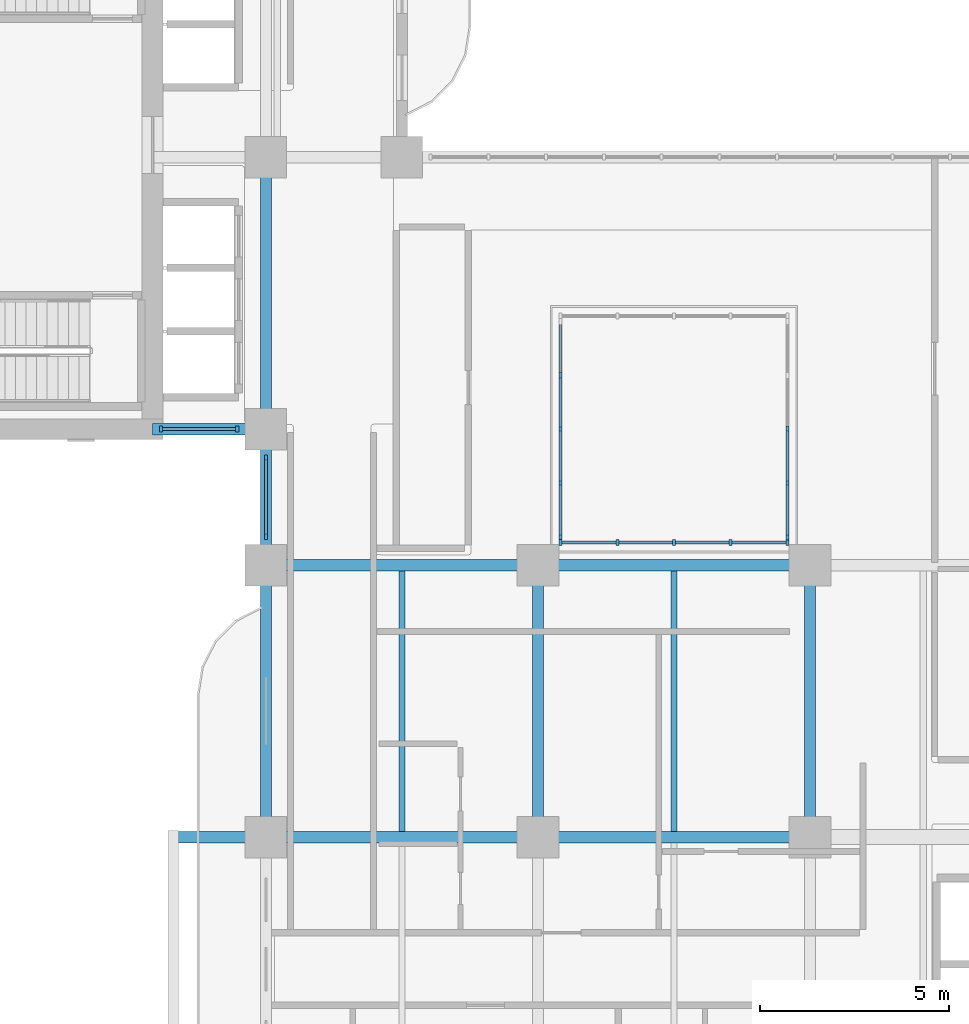
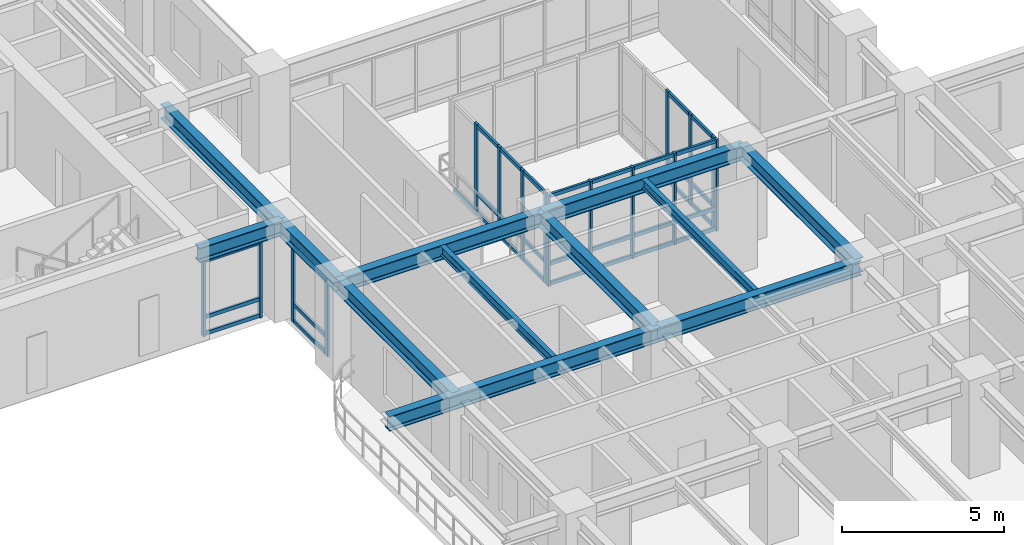
# One storey, part 2 of 22: 50 members, 12 beams, 5 elements without a shape of their own.
"""IFC4 building model written with IfcOpenShell, lengths in metres."""

from ifc_helpers import new_model, si_unit, derived_unit, direction, frame, origin, origin_2d, place, context, subcontext, project, spatial, rectangle, i_section, extrude, source, transform, mapped, material, layer, layer_set, material_profile, profile_set, type_object, type_shapes, element, aggregate, save


model = new_model("IFC4")

# Units and contexts
model_context = context("Model", 3, precision=1e-05, world=origin(), true_north=direction((0.0, 1.0)))
body_context = subcontext(model_context, "Body", "Model", "MODEL_VIEW")
ifc_project = project(units=[si_unit("LENGTHUNIT", "METRE"), si_unit("AREAUNIT", "SQUARE_METRE"), si_unit("VOLUMEUNIT", "CUBIC_METRE"), si_unit("PLANEANGLEUNIT", "RADIAN"), si_unit("MASSUNIT", "GRAM", prefix="KILO"), si_unit("THERMODYNAMICTEMPERATUREUNIT", "KELVIN"), si_unit("POWERUNIT", "WATT"), derived_unit("THERMALTRANSMITTANCEUNIT", [(si_unit("POWERUNIT", "WATT"), 1), (si_unit("AREAUNIT", "SQUARE_METRE"), -1), (si_unit("THERMODYNAMICTEMPERATUREUNIT", "KELVIN"), -1)])], contexts=[model_context])

# Site, building, storey
site_placement = place(None, origin())
site = spatial("IfcSite", under=ifc_project, at=site_placement, CompositionType="ELEMENT")
building_placement = place(site_placement, origin())
building = spatial("IfcBuilding", under=site, at=building_placement, Name="Zahravan Archway Hotel and Residences", CompositionType="ELEMENT")
storey_placement = place(building_placement, frame((0.0, 0.0, 87.89990234375)))
storey = spatial("IfcBuildingStorey", under=building, at=storey_placement, Name="L21", CompositionType="ELEMENT", Elevation=87.89990234375)

# Beams
ifc_material_1 = material(Name="Structural Steel S355JR", Category="steel")
ifc_material_profile_1 = material_profile(ifc_material_1, i_section(OverallWidth=0.300048828125, OverallDepth=0.550048828125, WebThickness=0.014892578125, FlangeThickness=0.029052734375, FilletRadius=0.027099609375, at=origin_2d()), Name="HEB 550", Category="steel")
ifc_profile_set_1 = profile_set([ifc_material_profile_1], Name="Structural Steel S355JR")
beam_type_1 = type_object("IfcBeamType", Name="BM-PRI-HEB550", PredefinedType="BEAM", material=ifc_profile_set_1)
shared_shape_1 = source(origin(), body_context, "Body", "SweptSolid", [
    extrude(i_section(OverallWidth=0.300048828125, OverallDepth=0.550048828125, WebThickness=0.014892578125, FlangeThickness=0.029052734375, FilletRadius=0.027099609375, at=origin_2d()), origin(), (0.0, 0.0, 1.0), 7.2001953125),
])
type_shapes(beam_type_1, [shared_shape_1])
for number, where, z_axis, x_axis, name in (
    (1, (14.39990234375, 21.60009765625, 3.175048828125), (1.0, 0.0, 0.0), (0.0, 1.0, 0.0), "L21 Primary Girder EW-14"),
    (2, (14.39990234375, 14.39990234375, 3.175048828125), (0.0, 1.0, 0.0), (-1.0, 0.0, 0.0), "L21 Primary Girder NS-34"),
    (3, (21.60009765625, 14.39990234375, 3.175048828125), (0.0, 1.0, 0.0), (-1.0, 0.0, 0.0), "L21 Primary Girder NS-41"),
    (4, (28.800048828125, 14.39990234375, 3.175048828125), (0.0, 1.0, 0.0), (-1.0, 0.0, 0.0), "L21 Primary Girder NS-44"),
):
    element("IfcBeam", number, at=place(storey_placement, frame(where, z_axis=z_axis, x_axis=x_axis)), inside=storey, type_object=beam_type_1, Name=name, PredefinedType="BEAM", context=body_context, shape_type="MappedRepresentation", body=[
        mapped(shared_shape_1, transform((0.0, 0.0, 0.0), scale=1.0)),
    ])
shared_shape_2 = source(origin(), body_context, "Body", "SweptSolid", [
    extrude(i_section(OverallWidth=0.300048828125, OverallDepth=0.550048828125, WebThickness=0.014892578125, FlangeThickness=0.029052734375, FilletRadius=0.027099609375, at=origin_2d()), origin(), (0.0, 0.0, 1.0), 7.199951171875),
])
for number, where, z_axis, x_axis, name in (
    (5, (21.60009765625, 14.39990234375, 3.175048828125), (1.0, 0.0, 0.0), (0.0, 1.0, 0.0), "L21 Primary Girder EW-12"),
    (6, (21.60009765625, 21.60009765625, 3.175048828125), (1.0, 0.0, 0.0), (0.0, 1.0, 0.0), "L21 Primary Girder EW-15"),
    (7, (14.39990234375, 25.199951171875, 3.175048828125), (0.0, 1.0, 0.0), (-1.0, 0.0, 0.0), "L21 Primary Girder NS-36"),
):
    element("IfcBeam", number, at=place(storey_placement, frame(where, z_axis=z_axis, x_axis=x_axis)), inside=storey, type_object=beam_type_1, Name=name, PredefinedType="BEAM", context=body_context, shape_type="MappedRepresentation", body=[
        mapped(shared_shape_2, transform((0.0, 0.0, 0.0), scale=1.0)),
    ])
shared_shape_3 = source(origin(), body_context, "Body", "SweptSolid", [
    extrude(i_section(OverallWidth=0.300048828125, OverallDepth=0.550048828125, WebThickness=0.014892578125, FlangeThickness=0.029052734375, FilletRadius=0.027099609375, at=origin_2d()), origin(), (0.0, 0.0, 1.0), 3.0),
])
beam_1_placement = place(storey_placement, frame((11.39990234375, 25.199951171875, 3.175048828125), z_axis=(1.0, 0.0, 0.0), x_axis=(0.0, 1.0, 0.0)))
element("IfcBeam", 8, at=beam_1_placement, inside=storey, type_object=beam_type_1, Name="L21 Primary Girder EW-20", PredefinedType="BEAM", context=body_context, shape_type="MappedRepresentation", body=[
    mapped(shared_shape_3, transform((0.0, 0.0, 0.0), scale=1.0)),
])
shared_shape_4 = source(origin(), body_context, "Body", "SweptSolid", [
    extrude(i_section(OverallWidth=0.300048828125, OverallDepth=0.550048828125, WebThickness=0.014892578125, FlangeThickness=0.029052734375, FilletRadius=0.027099609375, at=origin_2d()), origin(), (0.0, 0.0, 1.0), 3.599853515625),
])
beam_2_placement = place(storey_placement, frame((14.39990234375, 21.60009765625, 3.175048828125), z_axis=(0.0, 1.0, 0.0), x_axis=(-1.0, 0.0, 0.0)))
element("IfcBeam", 9, at=beam_2_placement, inside=storey, type_object=beam_type_1, Name="L21 Primary Girder NS-35", PredefinedType="BEAM", context=body_context, shape_type="MappedRepresentation", body=[
    mapped(shared_shape_4, transform((0.0, 0.0, 0.0), scale=1.0)),
])
shared_shape_5 = source(origin(), body_context, "Body", "SweptSolid", [
    extrude(i_section(OverallWidth=0.300048828125, OverallDepth=0.550048828125, WebThickness=0.014892578125, FlangeThickness=0.029052734375, FilletRadius=0.027099609375, at=origin_2d()), origin(), (0.0, 0.0, 1.0), 9.650146484375),
])
beam_3_placement = place(storey_placement, frame((11.949951171875, 14.39990234375, 3.175048828125), z_axis=(1.0, 0.0, 0.0), x_axis=(0.0, 1.0, 0.0)))
element("IfcBeam", 10, at=beam_3_placement, inside=storey, type_object=beam_type_1, Name="L21 Primary Girder EW-11", PredefinedType="BEAM", context=body_context, shape_type="MappedRepresentation", body=[
    mapped(shared_shape_5, transform((0.0, 0.0, 0.0), scale=1.0)),
])
ifc_material_profile_2 = material_profile(ifc_material_1, i_section(OverallWidth=0.169921875, OverallDepth=0.360107421875, WebThickness=0.008056640625, FlangeThickness=0.0126953125, FilletRadius=0.01806640625, at=origin_2d()), Name="IPE 360", Category="steel")
ifc_profile_set_2 = profile_set([ifc_material_profile_2], Name="Structural Steel S355JR")
beam_type_2 = type_object("IfcBeamType", Name="BM-JST-IPE360", PredefinedType="JOIST", material=ifc_profile_set_2)
shared_shape_6 = source(origin(), body_context, "Body", "SweptSolid", [
    extrude(i_section(OverallWidth=0.169921875, OverallDepth=0.360107421875, WebThickness=0.008056640625, FlangeThickness=0.0126953125, FilletRadius=0.01806640625, at=origin_2d()), origin(), (0.0, 0.0, 1.0), 6.90380859375),
])
for number, where, z_axis, x_axis, name in (
    (11, (18.0, 14.548095703125, 3.27001953125), (0.0, 1.0, 0.0), (-1.0, 0.0, 0.0), "L21 Composite Floor Joist 10"),
    (12, (25.199951171875, 14.548095703125, 3.27001953125), (0.0, 1.0, 0.0), (-1.0, 0.0, 0.0), "L21 Composite Floor Joist 11"),
):
    element("IfcBeam", number, at=place(storey_placement, frame(where, z_axis=z_axis, x_axis=x_axis)), inside=storey, type_object=beam_type_2, Name=name, PredefinedType="JOIST", context=body_context, shape_type="MappedRepresentation", body=[
        mapped(shared_shape_6, transform((0.0, 0.0, 0.0), scale=1.0)),
    ])

# Curtain wall, members
ifc_material_2 = material(Name="Bronze-Anodized Unitised Aluminium & Low-E Glass", Category="aluminium")
ifc_layer = layer(ifc_material_2, 0.179931640625, Name="Bronze-Anodized Unitised Aluminium & Low-E Glass", Category="aluminium")
ifc_layer_set = layer_set([ifc_layer], Name="Bronze-Anodized Unitised Aluminium & Low-E Glass")
curtain_wall_type = type_object("IfcCurtainWallType", Name="CW-ATR-GLAZ", PredefinedType="NOTDEFINED", material=ifc_layer_set)
curtain_wall_1_placement = place(storey_placement, origin())
curtain_wall_1 = element("IfcCurtainWall", 13, at=curtain_wall_1_placement, inside=storey, type_object=curtain_wall_type, Name="L21 Curtain Wall CW-L21-WA-WLU-1", PredefinedType="NOTDEFINED")
ifc_material_3 = material(Name="Bronze-Anodized Extruded Aluminium", Category="aluminium")
ifc_material_profile_3 = material_profile(ifc_material_3, rectangle(XDim=0.080078125, YDim=0.159912109375, at=origin_2d()), Name="MUL 80x160", Category="aluminium")
ifc_profile_set_3 = profile_set([ifc_material_profile_3], Name="Bronze-Anodized Extruded Aluminium")
member_type_1 = type_object("IfcMemberType", Name="CWM-MUL-160", PredefinedType="MULLION", material=ifc_profile_set_3)
shared_shape_7 = source(origin(), body_context, "Body", "SweptSolid", [
    extrude(rectangle(XDim=0.080078125, YDim=0.159912109375, at=origin_2d()), origin(), (0.0, 0.0, 1.0), 2.885009765625),
])
member_1_placement = place(storey_placement, frame((14.39990234375, 22.360107421875, 0.0), z_axis=(0.0, 0.0, 1.0), x_axis=(1.0, 0.0, 0.0)))
member_1 = element("IfcMember", 14, at=member_1_placement, type_object=member_type_1, Name="CW-L21-WA-WLU-1 Mullion 0", PredefinedType="MULLION", context=body_context, shape_type="MappedRepresentation", body=[
    mapped(shared_shape_7, transform((0.0, 0.0, 0.0), scale=1.0)),
])
member_2_placement = place(storey_placement, frame((14.39990234375, 24.43994140625, 0.0), z_axis=(0.0, 0.0, 1.0), x_axis=(1.0, 0.0, 0.0)))
member_2 = element("IfcMember", 15, at=member_2_placement, type_object=member_type_1, Name="CW-L21-WA-WLU-1 Mullion 1", PredefinedType="MULLION", context=body_context, shape_type="MappedRepresentation", body=[
    mapped(shared_shape_7, transform((0.0, 0.0, 0.0), scale=1.0)),
])

curtain_wall_2_placement = place(storey_placement, origin())
curtain_wall_2 = element("IfcCurtainWall", 16, at=curtain_wall_2_placement, inside=storey, type_object=curtain_wall_type, Name="L21 Curtain Wall CW-L21-WB-SE-1", PredefinedType="NOTDEFINED")
member_3_placement = place(storey_placement, frame((11.6201171875, 25.199951171875, 0.0), z_axis=(0.0, 0.0, 1.0), x_axis=(1.0, 0.0, 0.0)))
member_3 = element("IfcMember", 17, at=member_3_placement, type_object=member_type_1, Name="CW-L21-WB-SE-1 Mullion 0", PredefinedType="MULLION", context=body_context, shape_type="MappedRepresentation", body=[
    mapped(shared_shape_7, transform((0.0, 0.0, 0.0), scale=1.0)),
])
member_4_placement = place(storey_placement, frame((13.639892578125, 25.199951171875, 0.0), z_axis=(0.0, 0.0, 1.0), x_axis=(1.0, 0.0, 0.0)))
member_4 = element("IfcMember", 18, at=member_4_placement, type_object=member_type_1, Name="CW-L21-WB-SE-1 Mullion 1", PredefinedType="MULLION", context=body_context, shape_type="MappedRepresentation", body=[
    mapped(shared_shape_7, transform((0.0, 0.0, 0.0), scale=1.0)),
])
ifc_material_profile_4 = material_profile(ifc_material_3, rectangle(XDim=0.080078125, YDim=0.139892578125, at=origin_2d()), Name="TRN 80x140", Category="aluminium")
ifc_profile_set_4 = profile_set([ifc_material_profile_4], Name="Bronze-Anodized Extruded Aluminium")
member_type_2 = type_object("IfcMemberType", Name="CWM-TRN-140", PredefinedType="USERDEFINED", material=ifc_profile_set_4)
shared_shape_8 = source(origin(), body_context, "Body", "SweptSolid", [
    extrude(rectangle(XDim=0.080078125, YDim=0.139892578125, at=origin_2d()), origin(), (0.0, 0.0, 1.0), 1.940185546875),
])
member_5_placement = place(storey_placement, frame((11.659912109375, 25.199951171875, 0.070068359375), z_axis=(1.0, 0.0, 0.0), x_axis=(0.0, 1.0, 0.0)))
member_5 = element("IfcMember", 19, at=member_5_placement, type_object=member_type_2, Name="CW-L21-WB-SE-1 Transom 0-1", ObjectType="TRANSOM", PredefinedType="USERDEFINED", context=body_context, shape_type="MappedRepresentation", body=[
    mapped(shared_shape_8, transform((0.0, 0.0, 0.0), scale=1.0)),
])
member_6_placement = place(storey_placement, frame((11.659912109375, 25.199951171875, 0.6923828125), z_axis=(1.0, 0.0, 0.0), x_axis=(0.0, 1.0, 0.0)))
member_6 = element("IfcMember", 20, at=member_6_placement, type_object=member_type_2, Name="CW-L21-WB-SE-1 Transom 0-2", ObjectType="TRANSOM", PredefinedType="USERDEFINED", context=body_context, shape_type="MappedRepresentation", body=[
    mapped(shared_shape_8, transform((0.0, 0.0, 0.0), scale=1.0)),
])
member_7_placement = place(storey_placement, frame((11.659912109375, 25.199951171875, 2.815185546875), z_axis=(1.0, 0.0, 0.0), x_axis=(0.0, 1.0, 0.0)))
member_7 = element("IfcMember", 21, at=member_7_placement, type_object=member_type_2, Name="CW-L21-WB-SE-1 Transom 0-3", ObjectType="TRANSOM", PredefinedType="USERDEFINED", context=body_context, shape_type="MappedRepresentation", body=[
    mapped(shared_shape_8, transform((0.0, 0.0, 0.0), scale=1.0)),
])
aggregate(curtain_wall_2, [member_3, member_4, member_5, member_6, member_7])

# Member
shared_shape_9 = source(origin(), body_context, "Body", "SweptSolid", [
    extrude(rectangle(XDim=0.080078125, YDim=0.139892578125, at=origin_2d()), origin(), (0.0, 0.0, 1.0), 2.0),
])
member_8_placement = place(storey_placement, frame((14.39990234375, 22.39990234375, 0.070068359375), z_axis=(0.0, 1.0, 0.0), x_axis=(-1.0, 0.0, 0.0)))
member_8 = element("IfcMember", 22, at=member_8_placement, type_object=member_type_2, Name="CW-L21-WA-WLU-1 Transom 0-1", ObjectType="TRANSOM", PredefinedType="USERDEFINED", context=body_context, shape_type="MappedRepresentation", body=[
    mapped(shared_shape_9, transform((0.0, 0.0, 0.0), scale=1.0)),
])

member_9_placement = place(storey_placement, frame((14.39990234375, 22.39990234375, 0.6923828125), z_axis=(0.0, 1.0, 0.0), x_axis=(-1.0, 0.0, 0.0)))
member_9 = element("IfcMember", 23, at=member_9_placement, type_object=member_type_2, Name="CW-L21-WA-WLU-1 Transom 0-2", ObjectType="TRANSOM", PredefinedType="USERDEFINED", context=body_context, shape_type="MappedRepresentation", body=[
    mapped(shared_shape_9, transform((0.0, 0.0, 0.0), scale=1.0)),
])

member_10_placement = place(storey_placement, frame((14.39990234375, 22.39990234375, 2.815185546875), z_axis=(0.0, 1.0, 0.0), x_axis=(-1.0, 0.0, 0.0)))
member_10 = element("IfcMember", 24, at=member_10_placement, type_object=member_type_2, Name="CW-L21-WA-WLU-1 Transom 0-3", ObjectType="TRANSOM", PredefinedType="USERDEFINED", context=body_context, shape_type="MappedRepresentation", body=[
    mapped(shared_shape_9, transform((0.0, 0.0, 0.0), scale=1.0)),
])

aggregate(curtain_wall_1, [member_1, member_2, member_8, member_9, member_10])

# Curtain wall, members
curtain_wall_3_placement = place(storey_placement, origin())
curtain_wall_3 = element("IfcCurtainWall", 25, at=curtain_wall_3_placement, inside=storey, type_object=curtain_wall_type, Name="L21 Curtain Wall CW-ATR-L21-S-1", PredefinedType="NOTDEFINED")
shared_shape_10 = source(origin(), body_context, "Body", "SweptSolid", [
    extrude(rectangle(XDim=0.080078125, YDim=0.139892578125, at=origin_2d()), origin(), (0.0, 0.0, 1.0), 1.419921875),
])
member_11_placement = place(storey_placement, frame((22.239990234375, 22.199951171875, 0.070068359375), z_axis=(1.0, 0.0, 0.0), x_axis=(0.0, 1.0, 0.0)))
member_11 = element("IfcMember", 26, at=member_11_placement, type_object=member_type_2, Name="CW-ATR-L21-S-1 Transom 0-1", ObjectType="TRANSOM", PredefinedType="USERDEFINED", context=body_context, shape_type="MappedRepresentation", body=[
    mapped(shared_shape_10, transform((0.0, 0.0, 0.0), scale=1.0)),
])
member_12_placement = place(storey_placement, frame((22.239990234375, 22.199951171875, 0.828125), z_axis=(1.0, 0.0, 0.0), x_axis=(0.0, 1.0, 0.0)))
member_12 = element("IfcMember", 27, at=member_12_placement, type_object=member_type_2, Name="CW-ATR-L21-S-1 Transom 0-2", ObjectType="TRANSOM", PredefinedType="USERDEFINED", context=body_context, shape_type="MappedRepresentation", body=[
    mapped(shared_shape_10, transform((0.0, 0.0, 0.0), scale=1.0)),
])
member_13_placement = place(storey_placement, frame((22.239990234375, 22.199951171875, 3.380126953125), z_axis=(1.0, 0.0, 0.0), x_axis=(0.0, 1.0, 0.0)))
member_13 = element("IfcMember", 28, at=member_13_placement, type_object=member_type_2, Name="CW-ATR-L21-S-1 Transom 0-3", ObjectType="TRANSOM", PredefinedType="USERDEFINED", context=body_context, shape_type="MappedRepresentation", body=[
    mapped(shared_shape_10, transform((0.0, 0.0, 0.0), scale=1.0)),
])
member_14_placement = place(storey_placement, frame((23.739990234375, 22.199951171875, 0.070068359375), z_axis=(1.0, 0.0, 0.0), x_axis=(0.0, 1.0, 0.0)))
member_14 = element("IfcMember", 29, at=member_14_placement, type_object=member_type_2, Name="CW-ATR-L21-S-1 Transom 1-1", ObjectType="TRANSOM", PredefinedType="USERDEFINED", context=body_context, shape_type="MappedRepresentation", body=[
    mapped(shared_shape_10, transform((0.0, 0.0, 0.0), scale=1.0)),
])
member_15_placement = place(storey_placement, frame((23.739990234375, 22.199951171875, 0.828125), z_axis=(1.0, 0.0, 0.0), x_axis=(0.0, 1.0, 0.0)))
member_15 = element("IfcMember", 30, at=member_15_placement, type_object=member_type_2, Name="CW-ATR-L21-S-1 Transom 1-2", ObjectType="TRANSOM", PredefinedType="USERDEFINED", context=body_context, shape_type="MappedRepresentation", body=[
    mapped(shared_shape_10, transform((0.0, 0.0, 0.0), scale=1.0)),
])
member_16_placement = place(storey_placement, frame((23.739990234375, 22.199951171875, 3.380126953125), z_axis=(1.0, 0.0, 0.0), x_axis=(0.0, 1.0, 0.0)))
member_16 = element("IfcMember", 31, at=member_16_placement, type_object=member_type_2, Name="CW-ATR-L21-S-1 Transom 1-3", ObjectType="TRANSOM", PredefinedType="USERDEFINED", context=body_context, shape_type="MappedRepresentation", body=[
    mapped(shared_shape_10, transform((0.0, 0.0, 0.0), scale=1.0)),
])
member_17_placement = place(storey_placement, frame((25.239990234375, 22.199951171875, 0.070068359375), z_axis=(1.0, 0.0, 0.0), x_axis=(0.0, 1.0, 0.0)))
member_17 = element("IfcMember", 32, at=member_17_placement, type_object=member_type_2, Name="CW-ATR-L21-S-1 Transom 2-1", ObjectType="TRANSOM", PredefinedType="USERDEFINED", context=body_context, shape_type="MappedRepresentation", body=[
    mapped(shared_shape_10, transform((0.0, 0.0, 0.0), scale=1.0)),
])
member_18_placement = place(storey_placement, frame((25.239990234375, 22.199951171875, 0.828125), z_axis=(1.0, 0.0, 0.0), x_axis=(0.0, 1.0, 0.0)))
member_18 = element("IfcMember", 33, at=member_18_placement, type_object=member_type_2, Name="CW-ATR-L21-S-1 Transom 2-2", ObjectType="TRANSOM", PredefinedType="USERDEFINED", context=body_context, shape_type="MappedRepresentation", body=[
    mapped(shared_shape_10, transform((0.0, 0.0, 0.0), scale=1.0)),
])
member_19_placement = place(storey_placement, frame((25.239990234375, 22.199951171875, 3.380126953125), z_axis=(1.0, 0.0, 0.0), x_axis=(0.0, 1.0, 0.0)))
member_19 = element("IfcMember", 34, at=member_19_placement, type_object=member_type_2, Name="CW-ATR-L21-S-1 Transom 2-3", ObjectType="TRANSOM", PredefinedType="USERDEFINED", context=body_context, shape_type="MappedRepresentation", body=[
    mapped(shared_shape_10, transform((0.0, 0.0, 0.0), scale=1.0)),
])
member_20_placement = place(storey_placement, frame((26.739990234375, 22.199951171875, 0.070068359375), z_axis=(1.0, 0.0, 0.0), x_axis=(0.0, 1.0, 0.0)))
member_20 = element("IfcMember", 35, at=member_20_placement, type_object=member_type_2, Name="CW-ATR-L21-S-1 Transom 3-1", ObjectType="TRANSOM", PredefinedType="USERDEFINED", context=body_context, shape_type="MappedRepresentation", body=[
    mapped(shared_shape_10, transform((0.0, 0.0, 0.0), scale=1.0)),
])
member_21_placement = place(storey_placement, frame((26.739990234375, 22.199951171875, 0.828125), z_axis=(1.0, 0.0, 0.0), x_axis=(0.0, 1.0, 0.0)))
member_21 = element("IfcMember", 36, at=member_21_placement, type_object=member_type_2, Name="CW-ATR-L21-S-1 Transom 3-2", ObjectType="TRANSOM", PredefinedType="USERDEFINED", context=body_context, shape_type="MappedRepresentation", body=[
    mapped(shared_shape_10, transform((0.0, 0.0, 0.0), scale=1.0)),
])
member_22_placement = place(storey_placement, frame((26.739990234375, 22.199951171875, 3.380126953125), z_axis=(1.0, 0.0, 0.0), x_axis=(0.0, 1.0, 0.0)))
member_22 = element("IfcMember", 37, at=member_22_placement, type_object=member_type_2, Name="CW-ATR-L21-S-1 Transom 3-3", ObjectType="TRANSOM", PredefinedType="USERDEFINED", context=body_context, shape_type="MappedRepresentation", body=[
    mapped(shared_shape_10, transform((0.0, 0.0, 0.0), scale=1.0)),
])

curtain_wall_4_placement = place(storey_placement, origin())
curtain_wall_4 = element("IfcCurtainWall", 38, at=curtain_wall_4_placement, inside=storey, type_object=curtain_wall_type, Name="L21 Curtain Wall CW-ATR-L21-W-1", PredefinedType="NOTDEFINED")
shared_shape_11 = source(origin(), body_context, "Body", "SweptSolid", [
    extrude(rectangle(XDim=0.080078125, YDim=0.139892578125, at=origin_2d()), origin(), (0.0, 0.0, 1.0), 1.34521484375),
])
member_23_placement = place(storey_placement, frame((22.199951171875, 22.389892578125, 0.070068359375), z_axis=(0.0, 1.0, 0.0), x_axis=(-1.0, 0.0, 0.0)))
member_23 = element("IfcMember", 39, at=member_23_placement, type_object=member_type_2, Name="CW-ATR-L21-W-1 Transom 0-1", ObjectType="TRANSOM", PredefinedType="USERDEFINED", context=body_context, shape_type="MappedRepresentation", body=[
    mapped(shared_shape_11, transform((0.0, 0.0, 0.0), scale=1.0)),
])
member_24_placement = place(storey_placement, frame((22.199951171875, 22.389892578125, 0.828125), z_axis=(0.0, 1.0, 0.0), x_axis=(-1.0, 0.0, 0.0)))
member_24 = element("IfcMember", 40, at=member_24_placement, type_object=member_type_2, Name="CW-ATR-L21-W-1 Transom 0-2", ObjectType="TRANSOM", PredefinedType="USERDEFINED", context=body_context, shape_type="MappedRepresentation", body=[
    mapped(shared_shape_11, transform((0.0, 0.0, 0.0), scale=1.0)),
])
member_25_placement = place(storey_placement, frame((22.199951171875, 22.389892578125, 3.380126953125), z_axis=(0.0, 1.0, 0.0), x_axis=(-1.0, 0.0, 0.0)))
member_25 = element("IfcMember", 41, at=member_25_placement, type_object=member_type_2, Name="CW-ATR-L21-W-1 Transom 0-3", ObjectType="TRANSOM", PredefinedType="USERDEFINED", context=body_context, shape_type="MappedRepresentation", body=[
    mapped(shared_shape_11, transform((0.0, 0.0, 0.0), scale=1.0)),
])

curtain_wall_5_placement = place(storey_placement, origin())
curtain_wall_5 = element("IfcCurtainWall", 42, at=curtain_wall_5_placement, inside=storey, type_object=curtain_wall_type, Name="L21 Curtain Wall CW-ATR-L21-E-1", PredefinedType="NOTDEFINED")
member_26_placement = place(storey_placement, frame((28.199951171875, 22.389892578125, 0.070068359375), z_axis=(0.0, 1.0, 0.0), x_axis=(-1.0, 0.0, 0.0)))
member_26 = element("IfcMember", 43, at=member_26_placement, type_object=member_type_2, Name="CW-ATR-L21-E-1 Transom 0-1", ObjectType="TRANSOM", PredefinedType="USERDEFINED", context=body_context, shape_type="MappedRepresentation", body=[
    mapped(shared_shape_11, transform((0.0, 0.0, 0.0), scale=1.0)),
])
member_27_placement = place(storey_placement, frame((28.199951171875, 22.389892578125, 0.828125), z_axis=(0.0, 1.0, 0.0), x_axis=(-1.0, 0.0, 0.0)))
member_27 = element("IfcMember", 44, at=member_27_placement, type_object=member_type_2, Name="CW-ATR-L21-E-1 Transom 0-2", ObjectType="TRANSOM", PredefinedType="USERDEFINED", context=body_context, shape_type="MappedRepresentation", body=[
    mapped(shared_shape_11, transform((0.0, 0.0, 0.0), scale=1.0)),
])
member_28_placement = place(storey_placement, frame((28.199951171875, 22.389892578125, 3.380126953125), z_axis=(0.0, 1.0, 0.0), x_axis=(-1.0, 0.0, 0.0)))
member_28 = element("IfcMember", 45, at=member_28_placement, type_object=member_type_2, Name="CW-ATR-L21-E-1 Transom 0-3", ObjectType="TRANSOM", PredefinedType="USERDEFINED", context=body_context, shape_type="MappedRepresentation", body=[
    mapped(shared_shape_11, transform((0.0, 0.0, 0.0), scale=1.0)),
])

# Member
shared_shape_12 = source(origin(), body_context, "Body", "SweptSolid", [
    extrude(rectangle(XDim=0.080078125, YDim=0.139892578125, at=origin_2d()), origin(), (0.0, 0.0, 1.0), 1.344970703125),
])
member_29_placement = place(storey_placement, frame((22.199951171875, 23.81494140625, 0.070068359375), z_axis=(0.0, 1.0, 0.0), x_axis=(-1.0, 0.0, 0.0)))
member_29 = element("IfcMember", 46, at=member_29_placement, type_object=member_type_2, Name="CW-ATR-L21-W-1 Transom 1-1", ObjectType="TRANSOM", PredefinedType="USERDEFINED", context=body_context, shape_type="MappedRepresentation", body=[
    mapped(shared_shape_12, transform((0.0, 0.0, 0.0), scale=1.0)),
])

member_30_placement = place(storey_placement, frame((22.199951171875, 23.81494140625, 0.828125), z_axis=(0.0, 1.0, 0.0), x_axis=(-1.0, 0.0, 0.0)))
member_30 = element("IfcMember", 47, at=member_30_placement, type_object=member_type_2, Name="CW-ATR-L21-W-1 Transom 1-2", ObjectType="TRANSOM", PredefinedType="USERDEFINED", context=body_context, shape_type="MappedRepresentation", body=[
    mapped(shared_shape_12, transform((0.0, 0.0, 0.0), scale=1.0)),
])

member_31_placement = place(storey_placement, frame((22.199951171875, 23.81494140625, 3.380126953125), z_axis=(0.0, 1.0, 0.0), x_axis=(-1.0, 0.0, 0.0)))
member_31 = element("IfcMember", 48, at=member_31_placement, type_object=member_type_2, Name="CW-ATR-L21-W-1 Transom 1-3", ObjectType="TRANSOM", PredefinedType="USERDEFINED", context=body_context, shape_type="MappedRepresentation", body=[
    mapped(shared_shape_12, transform((0.0, 0.0, 0.0), scale=1.0)),
])

member_32_placement = place(storey_placement, frame((22.199951171875, 25.239990234375, 0.070068359375), z_axis=(0.0, 1.0, 0.0), x_axis=(-1.0, 0.0, 0.0)))
member_32 = element("IfcMember", 49, at=member_32_placement, type_object=member_type_2, Name="CW-ATR-L21-W-1 Transom 2-1", ObjectType="TRANSOM", PredefinedType="USERDEFINED", context=body_context, shape_type="MappedRepresentation", body=[
    mapped(shared_shape_12, transform((0.0, 0.0, 0.0), scale=1.0)),
])

member_33_placement = place(storey_placement, frame((22.199951171875, 25.239990234375, 0.828125), z_axis=(0.0, 1.0, 0.0), x_axis=(-1.0, 0.0, 0.0)))
member_33 = element("IfcMember", 50, at=member_33_placement, type_object=member_type_2, Name="CW-ATR-L21-W-1 Transom 2-2", ObjectType="TRANSOM", PredefinedType="USERDEFINED", context=body_context, shape_type="MappedRepresentation", body=[
    mapped(shared_shape_12, transform((0.0, 0.0, 0.0), scale=1.0)),
])

member_34_placement = place(storey_placement, frame((22.199951171875, 25.239990234375, 3.380126953125), z_axis=(0.0, 1.0, 0.0), x_axis=(-1.0, 0.0, 0.0)))
member_34 = element("IfcMember", 51, at=member_34_placement, type_object=member_type_2, Name="CW-ATR-L21-W-1 Transom 2-3", ObjectType="TRANSOM", PredefinedType="USERDEFINED", context=body_context, shape_type="MappedRepresentation", body=[
    mapped(shared_shape_12, transform((0.0, 0.0, 0.0), scale=1.0)),
])

member_35_placement = place(storey_placement, frame((22.199951171875, 26.6650390625, 0.070068359375), z_axis=(0.0, 1.0, 0.0), x_axis=(-1.0, 0.0, 0.0)))
member_35 = element("IfcMember", 52, at=member_35_placement, type_object=member_type_2, Name="CW-ATR-L21-W-1 Transom 3-1", ObjectType="TRANSOM", PredefinedType="USERDEFINED", context=body_context, shape_type="MappedRepresentation", body=[
    mapped(shared_shape_12, transform((0.0, 0.0, 0.0), scale=1.0)),
])

member_36_placement = place(storey_placement, frame((28.199951171875, 23.81494140625, 0.070068359375), z_axis=(0.0, 1.0, 0.0), x_axis=(-1.0, 0.0, 0.0)))
member_36 = element("IfcMember", 53, at=member_36_placement, type_object=member_type_2, Name="CW-ATR-L21-E-1 Transom 1-1", ObjectType="TRANSOM", PredefinedType="USERDEFINED", context=body_context, shape_type="MappedRepresentation", body=[
    mapped(shared_shape_12, transform((0.0, 0.0, 0.0), scale=1.0)),
])

member_37_placement = place(storey_placement, frame((28.199951171875, 23.81494140625, 0.828125), z_axis=(0.0, 1.0, 0.0), x_axis=(-1.0, 0.0, 0.0)))
member_37 = element("IfcMember", 54, at=member_37_placement, type_object=member_type_2, Name="CW-ATR-L21-E-1 Transom 1-2", ObjectType="TRANSOM", PredefinedType="USERDEFINED", context=body_context, shape_type="MappedRepresentation", body=[
    mapped(shared_shape_12, transform((0.0, 0.0, 0.0), scale=1.0)),
])

member_38_placement = place(storey_placement, frame((28.199951171875, 23.81494140625, 3.380126953125), z_axis=(0.0, 1.0, 0.0), x_axis=(-1.0, 0.0, 0.0)))
member_38 = element("IfcMember", 55, at=member_38_placement, type_object=member_type_2, Name="CW-ATR-L21-E-1 Transom 1-3", ObjectType="TRANSOM", PredefinedType="USERDEFINED", context=body_context, shape_type="MappedRepresentation", body=[
    mapped(shared_shape_12, transform((0.0, 0.0, 0.0), scale=1.0)),
])

shared_shape_13 = source(origin(), body_context, "Body", "SweptSolid", [
    extrude(rectangle(XDim=0.080078125, YDim=0.159912109375, at=origin_2d()), origin(), (0.0, 0.0, 1.0), 3.4501953125),
])
member_39_placement = place(storey_placement, frame((22.199951171875, 22.199951171875, 0.0), z_axis=(0.0, 0.0, 1.0), x_axis=(1.0, 0.0, 0.0)))
member_39 = element("IfcMember", 56, at=member_39_placement, type_object=member_type_1, Name="CW-ATR-L21-S-1 Mullion 0", PredefinedType="MULLION", context=body_context, shape_type="MappedRepresentation", body=[
    mapped(shared_shape_13, transform((0.0, 0.0, 0.0), scale=1.0)),
])

member_40_placement = place(storey_placement, frame((23.699951171875, 22.199951171875, 0.0), z_axis=(0.0, 0.0, 1.0), x_axis=(1.0, 0.0, 0.0)))
member_40 = element("IfcMember", 57, at=member_40_placement, type_object=member_type_1, Name="CW-ATR-L21-S-1 Mullion 1", PredefinedType="MULLION", context=body_context, shape_type="MappedRepresentation", body=[
    mapped(shared_shape_13, transform((0.0, 0.0, 0.0), scale=1.0)),
])

member_41_placement = place(storey_placement, frame((25.199951171875, 22.199951171875, 0.0), z_axis=(0.0, 0.0, 1.0), x_axis=(1.0, 0.0, 0.0)))
member_41 = element("IfcMember", 58, at=member_41_placement, type_object=member_type_1, Name="CW-ATR-L21-S-1 Mullion 2", PredefinedType="MULLION", context=body_context, shape_type="MappedRepresentation", body=[
    mapped(shared_shape_13, transform((0.0, 0.0, 0.0), scale=1.0)),
])

member_42_placement = place(storey_placement, frame((26.699951171875, 22.199951171875, 0.0), z_axis=(0.0, 0.0, 1.0), x_axis=(1.0, 0.0, 0.0)))
member_42 = element("IfcMember", 59, at=member_42_placement, type_object=member_type_1, Name="CW-ATR-L21-S-1 Mullion 3", PredefinedType="MULLION", context=body_context, shape_type="MappedRepresentation", body=[
    mapped(shared_shape_13, transform((0.0, 0.0, 0.0), scale=1.0)),
])

member_43_placement = place(storey_placement, frame((28.199951171875, 22.199951171875, 0.0), z_axis=(0.0, 0.0, 1.0), x_axis=(1.0, 0.0, 0.0)))
member_43 = element("IfcMember", 60, at=member_43_placement, type_object=member_type_1, Name="CW-ATR-L21-S-1 Mullion 4", PredefinedType="MULLION", context=body_context, shape_type="MappedRepresentation", body=[
    mapped(shared_shape_13, transform((0.0, 0.0, 0.0), scale=1.0)),
])

aggregate(curtain_wall_3, [member_39, member_40, member_41, member_42, member_43, member_11, member_12, member_13, member_14, member_15, member_16, member_17, member_18, member_19, member_20, member_21, member_22])

member_44_placement = place(storey_placement, frame((22.199951171875, 22.35009765625, 0.0), z_axis=(0.0, 0.0, 1.0), x_axis=(1.0, 0.0, 0.0)))
member_44 = element("IfcMember", 61, at=member_44_placement, type_object=member_type_1, Name="CW-ATR-L21-W-1 Mullion 0", PredefinedType="MULLION", context=body_context, shape_type="MappedRepresentation", body=[
    mapped(shared_shape_13, transform((0.0, 0.0, 0.0), scale=1.0)),
])

member_45_placement = place(storey_placement, frame((22.199951171875, 23.77490234375, 0.0), z_axis=(0.0, 0.0, 1.0), x_axis=(1.0, 0.0, 0.0)))
member_45 = element("IfcMember", 62, at=member_45_placement, type_object=member_type_1, Name="CW-ATR-L21-W-1 Mullion 1", PredefinedType="MULLION", context=body_context, shape_type="MappedRepresentation", body=[
    mapped(shared_shape_13, transform((0.0, 0.0, 0.0), scale=1.0)),
])

member_46_placement = place(storey_placement, frame((22.199951171875, 25.199951171875, 0.0), z_axis=(0.0, 0.0, 1.0), x_axis=(1.0, 0.0, 0.0)))
member_46 = element("IfcMember", 63, at=member_46_placement, type_object=member_type_1, Name="CW-ATR-L21-W-1 Mullion 2", PredefinedType="MULLION", context=body_context, shape_type="MappedRepresentation", body=[
    mapped(shared_shape_13, transform((0.0, 0.0, 0.0), scale=1.0)),
])

member_47_placement = place(storey_placement, frame((22.199951171875, 26.625, 0.0), z_axis=(0.0, 0.0, 1.0), x_axis=(1.0, 0.0, 0.0)))
member_47 = element("IfcMember", 64, at=member_47_placement, type_object=member_type_1, Name="CW-ATR-L21-W-1 Mullion 3", PredefinedType="MULLION", context=body_context, shape_type="MappedRepresentation", body=[
    mapped(shared_shape_13, transform((0.0, 0.0, 0.0), scale=1.0)),
])

aggregate(curtain_wall_4, [member_44, member_45, member_46, member_47, member_23, member_24, member_25, member_29, member_30, member_31, member_32, member_33, member_34, member_35])

member_48_placement = place(storey_placement, frame((28.199951171875, 22.35009765625, 0.0), z_axis=(0.0, 0.0, 1.0), x_axis=(1.0, 0.0, 0.0)))
member_48 = element("IfcMember", 65, at=member_48_placement, type_object=member_type_1, Name="CW-ATR-L21-E-1 Mullion 0", PredefinedType="MULLION", context=body_context, shape_type="MappedRepresentation", body=[
    mapped(shared_shape_13, transform((0.0, 0.0, 0.0), scale=1.0)),
])

member_49_placement = place(storey_placement, frame((28.199951171875, 23.77490234375, 0.0), z_axis=(0.0, 0.0, 1.0), x_axis=(1.0, 0.0, 0.0)))
member_49 = element("IfcMember", 66, at=member_49_placement, type_object=member_type_1, Name="CW-ATR-L21-E-1 Mullion 1", PredefinedType="MULLION", context=body_context, shape_type="MappedRepresentation", body=[
    mapped(shared_shape_13, transform((0.0, 0.0, 0.0), scale=1.0)),
])

member_50_placement = place(storey_placement, frame((28.199951171875, 25.199951171875, 0.0), z_axis=(0.0, 0.0, 1.0), x_axis=(1.0, 0.0, 0.0)))
member_50 = element("IfcMember", 67, at=member_50_placement, type_object=member_type_1, Name="CW-ATR-L21-E-1 Mullion 2", PredefinedType="MULLION", context=body_context, shape_type="MappedRepresentation", body=[
    mapped(shared_shape_13, transform((0.0, 0.0, 0.0), scale=1.0)),
])

aggregate(curtain_wall_5, [member_48, member_49, member_50, member_26, member_27, member_28, member_36, member_37, member_38])

save(model, "model.ifc")
